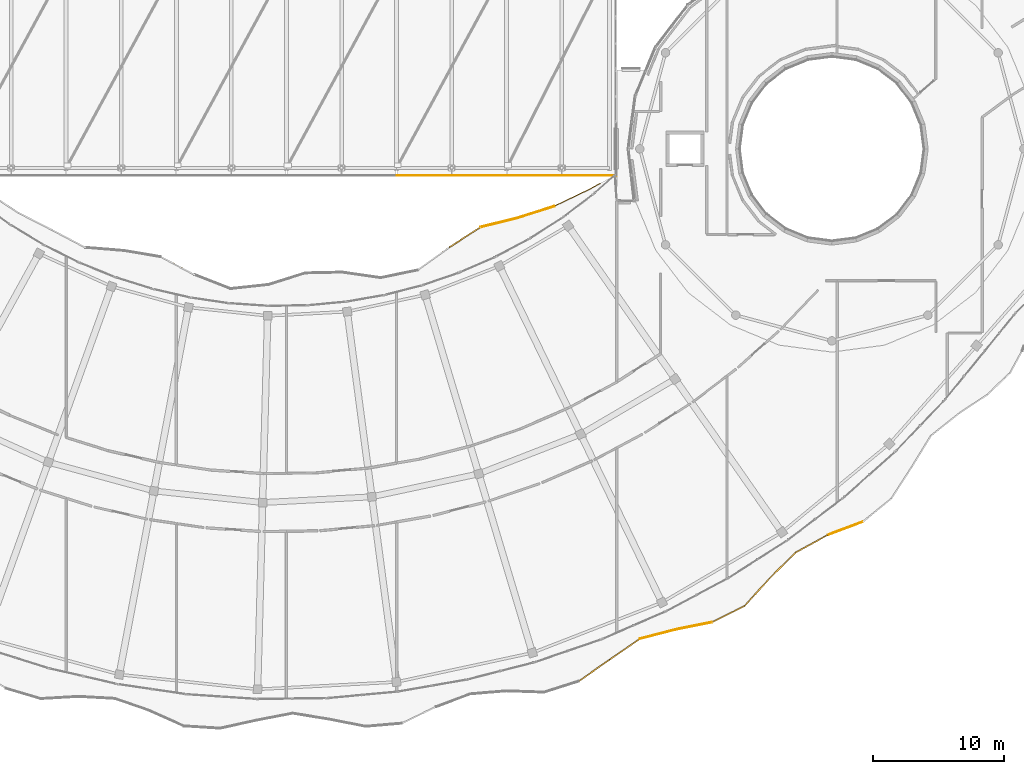
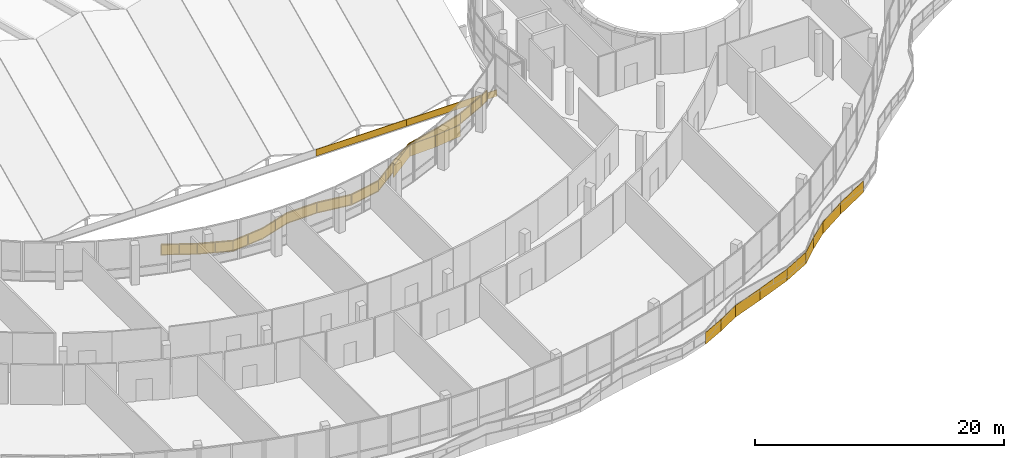
# One storey, part 176 of 184: 14 coverings, 1 railing.
"""IFC4 building model written with IfcOpenShell, lengths in metres."""

import ifcopenshell
import ifcopenshell.guid

model = None  # the IFC model being written
_history = None  # IfcOwnerHistory: only IFC2X3 demands one
_inside = {}  # id of a spatial element -> (the spatial element, [elements in it])
_under = {}  # id of a project, library or spatial element -> (it, [spatial elements below it])
_declared = {}  # id of a project -> (the project, [libraries it declares])
_typed = {}  # id of a type object -> (the type object, [elements of that type])
_made_of = {}  # id of a material, layer set ... -> (it, [elements and type objects made of it])


def new_model(schema):
    """Start an empty IFC model of exactly this schema.

    Asked for "IFC4X3", IfcOpenShell would pick the latest addendum, in which some entities
    have other attributes; the version numbers below select the first issue.
    IFC2X3 requires an IfcOwnerHistory on every rooted entity: one is made here for all.
    """
    global model, _history
    if schema == "IFC4X3":
        model = ifcopenshell.file(schema_version=(4, 3, 0, 0))
    else:
        model = ifcopenshell.file(schema=schema)
    _inside.clear()
    _under.clear()
    _declared.clear()
    _typed.clear()
    _made_of.clear()
    _history = None
    if model.schema == "IFC2X3":
        org = make("IfcOrganization", Name="unknown")
        user = make(
            "IfcPersonAndOrganization",
            ThePerson=make("IfcPerson", FamilyName="unknown"),
            TheOrganization=org,
        )
        app = make(
            "IfcApplication",
            ApplicationDeveloper=org,
            Version="unknown",
            ApplicationFullName="unknown",
            ApplicationIdentifier="unknown",
        )
        _history = make(
            "IfcOwnerHistory",
            OwningUser=user,
            OwningApplication=app,
            ChangeAction="ADDED",
            CreationDate=0,
        )
    return model


def make(cls, **values):
    """One entity of the class cls with the attributes given. An attribute that is None is left unset."""
    return model.create_entity(
        cls, **{name: value for name, value in values.items() if value is not None}
    )


def rooted(cls, **values):
    """An entity with a GlobalId (a new one), such as an element, a storey or a relation."""
    return make(cls, GlobalId=ifcopenshell.guid.new(), OwnerHistory=_history, **values)


def si_unit(unit_type, name, prefix=None):
    """IfcSIUnit, for example si_unit("LENGTHUNIT", "METRE", prefix="MILLI")."""
    return make("IfcSIUnit", UnitType=unit_type, Prefix=prefix, Name=name)


def assignment(units):
    """IfcUnitAssignment: the units of a project."""
    return None if units is None else make("IfcUnitAssignment", Units=units)


def point(xyz):
    """IfcCartesianPoint."""
    return None if xyz is None else make("IfcCartesianPoint", Coordinates=xyz)


def direction(xyz):
    """IfcDirection."""
    return None if xyz is None else make("IfcDirection", DirectionRatios=xyz)


def frame(location, z_axis=None, x_axis=None):
    """IfcAxis2Placement3D, a coordinate frame: its origin and axes. An axis left out is left unset."""
    return make(
        "IfcAxis2Placement3D",
        Location=point(location),
        Axis=direction(z_axis),
        RefDirection=direction(x_axis),
    )


def frame_2d(location, x_axis=None):
    """IfcAxis2Placement2D, a coordinate frame in the plane: its origin and x axis."""
    return make(
        "IfcAxis2Placement2D", Location=point(location), RefDirection=direction(x_axis)
    )


def origin():
    """The frame at (0, 0, 0) with its axes left unset."""
    return frame((0.0, 0.0, 0.0))


def origin_2d():
    """The frame at (0, 0) in the plane with its x axis left unset."""
    return frame_2d((0.0, 0.0))


def place(relative_to, where):
    """IfcLocalPlacement: puts the frame where relative to a parent placement (None: the world)."""
    return make(
        "IfcLocalPlacement", PlacementRelTo=relative_to, RelativePlacement=where
    )


def context(
    kind, dimensions, precision=None, world=None, true_north=None, identifier=None
):
    """IfcGeometricRepresentationContext, for example the 3D "Model" context."""
    return make(
        "IfcGeometricRepresentationContext",
        ContextIdentifier=identifier,
        ContextType=kind,
        CoordinateSpaceDimension=dimensions,
        Precision=precision,
        WorldCoordinateSystem=world,
        TrueNorth=true_north,
    )


def subcontext(parent, identifier, kind, view, scale=None):
    """IfcGeometricRepresentationSubContext, for example "Body" below "Model"."""
    return make(
        "IfcGeometricRepresentationSubContext",
        ContextIdentifier=identifier,
        ContextType=kind,
        ParentContext=parent,
        TargetScale=scale,
        TargetView=view,
    )


def project(units=None, contexts=None):
    """IfcProject with its units and contexts."""
    return rooted(
        "IfcProject",
        Name="project",
        RepresentationContexts=contexts,
        UnitsInContext=assignment(units),
    )


def spatial(cls, under=None, at=None, **own):
    """A site, building, storey or space (cls), placed at a placement, below another one or the project."""
    s = rooted(cls, ObjectPlacement=at, **own)
    if under is not None:
        _under.setdefault(under.id(), (under, []))[1].append(s)
    return s


def polyline(points):
    """IfcPolyline through the points."""
    return make("IfcPolyline", Points=[point(p) for p in points])


def profile(cls, at=None, kind="AREA", **sizes):
    """A parametric profile (cls). Its sizes go by their IFC names, for example OverallWidth=200.0."""
    return make(cls, ProfileType=kind, Position=at, **sizes)


def rectangle(**sizes):
    """IfcRectangleProfileDef."""
    return profile("IfcRectangleProfileDef", **sizes)


def outline(outer, holes=None, kind="AREA"):
    """IfcArbitraryClosedProfileDef: a profile drawn as a closed curve; with holes, ...WithVoids."""
    if holes is None:
        return make("IfcArbitraryClosedProfileDef", ProfileType=kind, OuterCurve=outer)
    return make(
        "IfcArbitraryProfileDefWithVoids",
        ProfileType=kind,
        OuterCurve=outer,
        InnerCurves=holes,
    )


def extrude(swept, where, along, depth):
    """IfcExtrudedAreaSolid: the profile swept, set in the frame where, extruded along a direction by depth."""
    return make(
        "IfcExtrudedAreaSolid",
        SweptArea=swept,
        Position=where,
        ExtrudedDirection=direction(along),
        Depth=depth,
    )


def shape(context_of_items, identifier, shape_type, items):
    """IfcShapeRepresentation: the items that make up one representation, for example the "Body"."""
    return make(
        "IfcShapeRepresentation",
        ContextOfItems=context_of_items,
        RepresentationIdentifier=identifier,
        RepresentationType=shape_type,
        Items=items,
    )


def material(Name=None, Category=None):
    """IfcMaterial."""
    return make("IfcMaterial", Name=Name, Category=Category)


def layer(
    of_material, thickness, ventilated=None, Name=None, Category=None, Priority=None
):
    """IfcMaterialLayer: one layer of a wall or slab, of a material (None: an air gap)."""
    return make(
        "IfcMaterialLayer",
        Material=of_material,
        LayerThickness=thickness,
        IsVentilated=ventilated,
        Name=Name,
        Category=Category,
        Priority=Priority,
    )


def layer_set(layers, Name=None):
    """IfcMaterialLayerSet."""
    return make("IfcMaterialLayerSet", MaterialLayers=layers, LayerSetName=Name)


def made_of(thing, what):
    """Note that an element or type object is made of a material, layer set ...; save() writes the relation."""
    if what is not None:
        _made_of.setdefault(what.id(), (what, []))[1].append(thing)
    return thing


def type_object(cls, material=None, **own):
    """A type object (cls), such as IfcWallType, which elements share."""
    return made_of(rooted(cls, **own), material)


def element(
    cls,
    number,
    at=None,
    inside=None,
    cuts=None,
    type_object=None,
    material=None,
    context=None,
    identifier="Body",
    shape_type=None,
    held_by="IfcProductDefinitionShape",
    body=None,
    shapes=None,
    **own,
):
    """One element of the class cls, such as IfcWall. Its Tag is "e" and its number.

    at: its placement. inside: the storey or other place that contains it. cuts: it is an
    opening in that element (IfcRelVoidsElement). A single representation is given by context,
    identifier, shape_type and body (its items); several are given by shapes. held_by: the class
    of the entity that holds the representations. save() writes the other relations.
    """
    e = rooted(cls, Tag="e%d" % number, ObjectPlacement=at, **own)
    if body is not None:
        shapes = [shape(context, identifier, shape_type, body)]
    if shapes is not None:
        e.Representation = make(held_by, Representations=shapes)
    if inside is not None:
        _inside.setdefault(inside.id(), (inside, []))[1].append(e)
    if cuts is not None:
        rooted(
            "IfcRelVoidsElement", RelatingBuildingElement=cuts, RelatedOpeningElement=e
        )
    if type_object is not None:
        _typed.setdefault(type_object.id(), (type_object, []))[1].append(e)
    return made_of(e, material)


def aggregate(whole, parts):
    """IfcRelAggregates: a whole, such as a stair, and the parts it consists of."""
    return rooted("IfcRelAggregates", RelatingObject=whole, RelatedObjects=parts)


def save(model, path):
    """Write the relations noted so far, then the file.

    IfcRelAggregates (storeys below a building ...), IfcRelContainedInSpatialStructure (elements
    in a storey), IfcRelDefinesByType, IfcRelAssociatesMaterial and IfcRelDeclares: one each for
    every whole, place, type object, material and project.
    """
    for whole, parts in _under.values():
        aggregate(whole, parts)
    for where, things in _inside.values():
        rooted(
            "IfcRelContainedInSpatialStructure",
            RelatedElements=things,
            RelatingStructure=where,
        )
    for kind, things in _typed.values():
        rooted("IfcRelDefinesByType", RelatedObjects=things, RelatingType=kind)
    for what, things in _made_of.values():
        rooted("IfcRelAssociatesMaterial", RelatedObjects=things, RelatingMaterial=what)
    for by, libraries in _declared.values():
        rooted("IfcRelDeclares", RelatingContext=by, RelatedDefinitions=libraries)
    model.write(path)


model = new_model("IFC4")

# Units and contexts
model_context = context("Model", 3, precision=1e-05, world=origin(), true_north=direction((0.0, 1.0)))
body_context = subcontext(model_context, "Body", "Model", "MODEL_VIEW")
ifc_project = project(units=[si_unit("LENGTHUNIT", "METRE"), si_unit("AREAUNIT", "SQUARE_METRE"), si_unit("VOLUMEUNIT", "CUBIC_METRE"), si_unit("PLANEANGLEUNIT", "RADIAN"), si_unit("MASSUNIT", "GRAM", prefix="KILO")], contexts=[model_context])

# Site, building, storey
site_placement = place(None, origin())
site = spatial("IfcSite", under=ifc_project, at=site_placement, CompositionType="ELEMENT")
building_placement = place(site_placement, origin())
building = spatial("IfcBuilding", under=site, at=building_placement, Name="Selatvlak General Hospital", CompositionType="ELEMENT")
storey_placement = place(building_placement, frame((0.0, 0.0, 15.0)))
storey = spatial("IfcBuildingStorey", under=building, at=storey_placement, Name="L03", CompositionType="ELEMENT", Elevation=15.0)

# Coverings
ifc_material_1 = material(Name="PVDF aluminium fascia - cobalt blue", Category="aluminium")
ifc_layer_1 = layer(ifc_material_1, 0.070068359375, Name="PVDF aluminium fascia - cobalt blue", Category="aluminium")
ifc_layer_set_1 = layer_set([ifc_layer_1], Name="PVDF aluminium fascia - cobalt blue")
covering_type_1 = type_object("IfcCoveringType", Name="COV-RB-BLU", PredefinedType="CLADDING", material=ifc_layer_set_1)
covering_1_placement = place(storey_placement, frame((78.702880859375, 13.39794921875, -0.257080078125), z_axis=(0.0, 0.0, 1.0), x_axis=(0.820976526683, 0.570961944997, 0.0)))
element("IfcCovering", 1, at=covering_1_placement, inside=storey, type_object=covering_type_1, Name="L03 De Stijl waving fascia streamer 335", PredefinedType="CLADDING", context=body_context, shape_type="SweptSolid", body=[
    extrude(outline(polyline([(0.0, 0.0), (2.860107421875, -0.5419921875), (2.860107421875, 0.597900390625), (0.0, 1.139892578125), (0.0, 0.0)])), frame((0.0, 0.03515625, 0.0), z_axis=(0.0, -1.0, 0.0), x_axis=(1.0, 0.0, 0.0)), (0.0, 0.0, 1.0), 0.070068359375),
])
covering_2_placement = place(storey_placement, frame((81.050048828125, 15.031005859375, -0.799072265625), z_axis=(0.0, 0.0, 1.0), x_axis=(0.821828507841, 0.569734941618, 0.0)))
element("IfcCovering", 2, at=covering_2_placement, inside=storey, type_object=covering_type_1, Name="L03 De Stijl waving fascia streamer 336", PredefinedType="CLADDING", context=body_context, shape_type="SweptSolid", body=[
    extrude(outline(polyline([(0.0, 0.0), (2.8046875, -0.37890625), (2.8046875, 0.760986328125), (0.0, 1.139892578125), (0.0, 0.0)])), frame((0.0, 0.03515625, 0.0), z_axis=(0.0, -1.0, 0.0), x_axis=(1.0, 0.0, 0.0)), (0.0, 0.0, 1.0), 0.070068359375),
])
covering_3_placement = place(storey_placement, frame((83.35498046875, 16.62890625, -1.177978515625), z_axis=(0.0, 0.0, 1.0), x_axis=(0.967880650396, 0.251410116321, 0.0)))
element("IfcCovering", 3, at=covering_3_placement, inside=storey, type_object=covering_type_1, Name="L03 De Stijl waving fascia streamer 337", PredefinedType="CLADDING", context=body_context, shape_type="SweptSolid", body=[
    extrude(outline(polyline([(0.0, 0.0), (2.7802734375, 0.302001953125), (2.7802734375, 1.44189453125), (0.0, 1.139892578125), (0.0, 0.0)])), frame((0.0, 0.03515625, 0.0), z_axis=(0.0, -1.0, 0.0), x_axis=(1.0, 0.0, 0.0)), (0.0, 0.0, 1.0), 0.070068359375),
])
covering_4_placement = place(storey_placement, frame((86.044921875, 17.326904296875, -0.8759765625), z_axis=(0.0, 0.0, 1.0), x_axis=(0.980274642567, 0.197640140507, 0.0)))
element("IfcCovering", 4, at=covering_4_placement, inside=storey, type_object=covering_type_1, Name="L03 De Stijl waving fascia streamer 338", PredefinedType="CLADDING", context=body_context, shape_type="SweptSolid", body=[
    extrude(outline(polyline([(0.0, 0.0), (2.864501953125, 0.570068359375), (2.864501953125, 1.7099609375), (0.0, 1.139892578125), (0.0, 0.0)])), frame((0.0, 0.03515625, 0.0), z_axis=(0.0, -1.0, 0.0), x_axis=(1.0, 0.0, 0.0)), (0.0, 0.0, 1.0), 0.070068359375),
])
covering_5_placement = place(storey_placement, frame((88.85302734375, 17.89306640625, -0.305908203125), z_axis=(0.0, 0.0, 1.0), x_axis=(0.896227960056, 0.443593782208, 0.0)))
element("IfcCovering", 5, at=covering_5_placement, inside=storey, type_object=covering_type_1, Name="L03 De Stijl waving fascia streamer 339", PredefinedType="CLADDING", context=body_context, shape_type="SweptSolid", body=[
    extrude(outline(polyline([(0.0, 0.0), (2.781494140625, 0.058837890625), (2.781494140625, 1.19873046875), (0.0, 1.139892578125), (0.0, 0.0)])), frame((0.0, 0.03515625, 0.0), z_axis=(0.0, -1.0, 0.0), x_axis=(1.0, 0.0, 0.0)), (0.0, 0.0, 1.0), 0.070068359375),
])
covering_6_placement = place(storey_placement, frame((91.344970703125, 19.126953125, -0.2470703125), z_axis=(0.0, 0.0, 1.0), x_axis=(0.669020839739, 0.743243645109, 0.0)))
element("IfcCovering", 6, at=covering_6_placement, inside=storey, type_object=covering_type_1, Name="L03 De Stijl waving fascia streamer 340", PredefinedType="CLADDING", context=body_context, shape_type="SweptSolid", body=[
    extrude(outline(polyline([(0.0, 0.0), (2.884765625, -0.531982421875), (2.884765625, 0.60791015625), (0.0, 1.139892578125), (0.0, 0.0)])), frame((0.0, 0.03515625, 0.0), z_axis=(0.0, -1.0, 0.0), x_axis=(1.0, 0.0, 0.0)), (0.0, 0.0, 1.0), 0.070068359375),
])
covering_7_placement = place(storey_placement, frame((93.27490234375, 21.27001953125, -0.779052734375), z_axis=(0.0, 0.0, 1.0), x_axis=(0.713944980845, 0.700201802573, 0.0)))
element("IfcCovering", 7, at=covering_7_placement, inside=storey, type_object=covering_type_1, Name="L03 De Stijl waving fascia streamer 341", PredefinedType="CLADDING", context=body_context, shape_type="SweptSolid", body=[
    extrude(outline(polyline([(0.0, 0.0), (2.7890625, -0.39697265625), (2.7890625, 0.742919921875), (0.0, 1.139892578125), (0.0, 0.0)])), frame((0.0, 0.03515625, 0.0), z_axis=(0.0, -1.0, 0.0), x_axis=(1.0, 0.0, 0.0)), (0.0, 0.0, 1.0), 0.070068359375),
])
covering_8_placement = place(storey_placement, frame((95.264892578125, 23.222900390625, -1.176025390625), z_axis=(0.0, 0.0, 1.0), x_axis=(0.876967568472, 0.480549564404, 0.0)))
element("IfcCovering", 8, at=covering_8_placement, inside=storey, type_object=covering_type_1, Name="L03 De Stijl waving fascia streamer 342", PredefinedType="CLADDING", context=body_context, shape_type="SweptSolid", body=[
    extrude(outline(polyline([(0.0, 0.0), (2.759765625, 0.281982421875), (2.759765625, 1.421875), (0.0, 1.139892578125), (0.0, 0.0)])), frame((0.0, 0.03515625, 0.0), z_axis=(0.0, -1.0, 0.0), x_axis=(1.0, 0.0, 0.0)), (0.0, 0.0, 1.0), 0.070068359375),
])
covering_9_placement = place(storey_placement, frame((97.68505859375, 24.549072265625, -0.89404296875), z_axis=(0.0, 0.0, 1.0), x_axis=(0.935871346056, 0.352341912964, 0.0)))
element("IfcCovering", 9, at=covering_9_placement, inside=storey, type_object=covering_type_1, Name="L03 De Stijl waving fascia streamer 343", PredefinedType="CLADDING", context=body_context, shape_type="SweptSolid", body=[
    extrude(outline(polyline([(0.0, 0.0), (2.897705078125, 0.574951171875), (2.897705078125, 1.71484375), (0.0, 1.139892578125), (0.0, 0.0)])), frame((0.0, 0.03515625, 0.0), z_axis=(0.0, -1.0, 0.0), x_axis=(1.0, 0.0, 0.0)), (0.0, 0.0, 1.0), 0.070068359375),
])
covering_10_placement = place(storey_placement, frame((76.845947265625, 49.62109375, -1.14599609375), z_axis=(0.0, 0.0, 1.0), x_axis=(-0.953263607302, -0.302139859988, 0.0)))
element("IfcCovering", 10, at=covering_10_placement, inside=storey, type_object=covering_type_1, Name="L03 De Stijl waving fascia streamer 384", PredefinedType="CLADDING", context=body_context, shape_type="SweptSolid", body=[
    extrude(outline(polyline([(0.0, 0.0), (2.965576171875, 0.468017578125), (2.965576171875, 1.60791015625), (0.0, 1.139892578125), (0.0, 0.0)])), frame((0.0, 0.03515625, 0.0), z_axis=(0.0, -1.0, 0.0), x_axis=(1.0, 0.0, 0.0)), (0.0, 0.0, 1.0), 0.070068359375),
])
covering_11_placement = place(storey_placement, frame((74.01806640625, 48.72509765625, -0.677978515625), z_axis=(0.0, 0.0, 1.0), x_axis=(-0.970409717396, -0.241464242452, 0.0)))
element("IfcCovering", 11, at=covering_11_placement, inside=storey, type_object=covering_type_1, Name="L03 De Stijl waving fascia streamer 385", PredefinedType="CLADDING", context=body_context, shape_type="SweptSolid", body=[
    extrude(outline(polyline([(0.0, 0.0), (2.895751953125, 0.489990234375), (2.895751953125, 1.6298828125), (0.0, 1.139892578125), (0.0, 0.0)])), frame((0.0, 0.03515625, 0.0), z_axis=(0.0, -1.0, 0.0), x_axis=(1.0, 0.0, 0.0)), (0.0, 0.0, 1.0), 0.070068359375),
])
covering_12_placement = place(storey_placement, frame((71.20703125, 48.02490234375, -0.18798828125), z_axis=(0.0, 0.0, 1.0), x_axis=(-0.841130835926, -0.540831689951, 0.0)))
element("IfcCovering", 12, at=covering_12_placement, inside=storey, type_object=covering_type_1, Name="L03 De Stijl waving fascia streamer 386", PredefinedType="CLADDING", context=body_context, shape_type="SweptSolid", body=[
    extrude(outline(polyline([(0.0, 0.0), (2.830810546875, -0.31494140625), (2.830810546875, 0.824951171875), (0.0, 1.139892578125), (0.0, 0.0)])), frame((0.0, 0.03515625, 0.0), z_axis=(0.0, -1.0, 0.0), x_axis=(1.0, 0.0, 0.0)), (0.0, 0.0, 1.0), 0.070068359375),
])
ifc_material_2 = material(Name="White Bauhaus fair-faced cladding panel")
ifc_layer_2 = layer(ifc_material_2, 0.054931640625, Name="White Bauhaus fair-faced cladding panel")
ifc_layer_set_2 = layer_set([ifc_layer_2], Name="White Bauhaus fair-faced cladding panel")
covering_type_2 = type_object("IfcCoveringType", Name="COV-WHT1", PredefinedType="CLADDING", material=ifc_layer_set_2)
for number, where, z_axis, x_axis, name in (
    (13, (69.0, 51.969970703125, -0.300048828125), (0.0, 0.0, 1.0), (1.0, 0.0, 0.0), "L03 Concourse hall south eaves white fascia 0575"),
    (14, (77.39990234375, 51.969970703125, -0.300048828125), (0.0, 0.0, 1.0), (1.0, 0.0, 0.0), "L03 Concourse hall south eaves white fascia 0576"),
):
    element("IfcCovering", number, at=place(storey_placement, frame(where, z_axis=z_axis, x_axis=x_axis)), inside=storey, type_object=covering_type_2, Name=name, PredefinedType="CLADDING", context=body_context, shape_type="SweptSolid", body=[
        extrude(rectangle(XDim=8.39990234375, YDim=0.054931640625, at=origin_2d()), origin(), (0.0, 0.0, 1.0), 0.64990234375),
    ])

# Railing
ifc_material_3 = material(Name="Stainless steel 316 safety balustrade", Category="steel")
railing_type = type_object("IfcRailingType", Name="RAIL-BAL1", PredefinedType="BALUSTRADE", material=ifc_material_3)
railing_placement = place(storey_placement, frame((46.826904296875, 45.77197265625, 0.0)))
element("IfcRailing", 15, at=railing_placement, inside=storey, type_object=railing_type, Name="L03 continuous curved balcony balustrade 0023", PredefinedType="BALUSTRADE", context=body_context, shape_type="SweptSolid", body=[
    extrude(rectangle(XDim=0.068115234375, YDim=0.068115234375, at=origin_2d()), frame((0.002685546875, -0.00146484375, 1.0859375), z_axis=(0.883888048111, -0.46769853368, 0.0), x_axis=(0.46769853368, 0.883888048111, 0.0)), (0.0, 0.0, 1.0), 2.899658203125),
    extrude(rectangle(XDim=0.068115234375, YDim=0.068115234375, at=origin_2d()), frame((0.002685546875, -0.00146484375, 0.049072265625), z_axis=(0.883888048111, -0.46769853368, 0.0), x_axis=(0.46769853368, 0.883888048111, 0.0)), (0.0, 0.0, 1.0), 2.899658203125),
    extrude(outline(polyline([(0.0, 0.0), (2.8935546875, 0.0), (2.8935546875, 0.94189453125), (0.0, 0.94189453125), (0.0, 0.0)])), frame((0.013671875, 0.01318359375, 0.0849609375), z_axis=(-0.46769853368, -0.883888048111, 0.0), x_axis=(0.883888048111, -0.46769853368, 0.0)), (0.0, 0.0, 1.0), 0.031982421875),
    extrude(rectangle(XDim=0.068115234375, YDim=0.068115234375, at=origin_2d()), frame((2.57080078125, -1.35986328125, 1.0859375), z_axis=(0.931171710845, -0.364580916837, 0.0), x_axis=(0.364580916837, 0.931171710845, 0.0)), (0.0, 0.0, 1.0), 2.9345703125),
    extrude(rectangle(XDim=0.068115234375, YDim=0.068115234375, at=origin_2d()), frame((2.57080078125, -1.35986328125, 0.049072265625), z_axis=(0.931171710845, -0.364580916837, 0.0), x_axis=(0.364580916837, 0.931171710845, 0.0)), (0.0, 0.0, 1.0), 2.9345703125),
    extrude(outline(polyline([(0.0, 0.0), (2.928466796875, 0.0), (2.928466796875, 0.94189453125), (0.0, 0.94189453125), (0.0, 0.0)])), frame((2.580322265625, -1.34423828125, 0.0849609375), z_axis=(-0.364580916837, -0.931171710845, 0.0), x_axis=(0.931171710845, -0.364580916837, 0.0)), (0.0, 0.0, 1.0), 0.031982421875),
    extrude(rectangle(XDim=0.068115234375, YDim=0.068115234375, at=origin_2d()), frame((5.30908203125, -2.4306640625, 1.0859375), z_axis=(0.994190113919, 0.107638363908, 0.0), x_axis=(-0.107638363908, 0.994190113919, 0.0)), (0.0, 0.0, 1.0), 2.910888671875),
    extrude(rectangle(XDim=0.068115234375, YDim=0.068115234375, at=origin_2d()), frame((5.30908203125, -2.4306640625, 0.049072265625), z_axis=(0.994190113919, 0.107638363908, 0.0), x_axis=(-0.107638363908, 0.994190113919, 0.0)), (0.0, 0.0, 1.0), 2.910888671875),
    extrude(outline(polyline([(0.0, 0.0), (2.90478515625, 0.0), (2.90478515625, 0.94189453125), (0.0, 0.94189453125), (0.0, 0.0)])), frame((5.31005859375, -2.412353515625, 0.0849609375), z_axis=(0.107638363908, -0.994190113919, 0.0), x_axis=(0.994190113919, 0.107638363908, 0.0)), (0.0, 0.0, 1.0), 0.031982421875),
    extrude(rectangle(XDim=0.068115234375, YDim=0.068115234375, at=origin_2d()), frame((8.208740234375, -2.115966796875, 1.0859375), z_axis=(0.953882296922, 0.300180884834, 0.0), x_axis=(-0.300180884834, 0.953882296922, 0.0)), (0.0, 0.0, 1.0), 2.9326171875),
    extrude(rectangle(XDim=0.068115234375, YDim=0.068115234375, at=origin_2d()), frame((8.208740234375, -2.115966796875, 0.049072265625), z_axis=(0.953882296922, 0.300180884834, 0.0), x_axis=(-0.300180884834, 0.953882296922, 0.0)), (0.0, 0.0, 1.0), 2.9326171875),
    extrude(outline(polyline([(0.0, 0.0), (2.926513671875, 0.0), (2.926513671875, 0.94189453125), (0.0, 0.94189453125), (0.0, 0.0)])), frame((8.206298828125, -2.097900390625, 0.0849609375), z_axis=(0.300180884834, -0.953882296922, 0.0), x_axis=(0.953882296922, 0.300180884834, 0.0)), (0.0, 0.0, 1.0), 0.031982421875),
    extrude(rectangle(XDim=0.068115234375, YDim=0.068115234375, at=origin_2d()), frame((11.011962890625, -1.23486328125, 1.0859375), z_axis=(0.999771593565, 0.021371960599, 0.0), x_axis=(-0.021371960599, 0.999771593565, 0.0)), (0.0, 0.0, 1.0), 2.79296875),
    extrude(rectangle(XDim=0.068115234375, YDim=0.068115234375, at=origin_2d()), frame((11.011962890625, -1.23486328125, 0.049072265625), z_axis=(0.999771593565, 0.021371960599, 0.0), x_axis=(-0.021371960599, 0.999771593565, 0.0)), (0.0, 0.0, 1.0), 2.79296875),
    extrude(outline(polyline([(0.0, 0.0), (2.78662109375, 0.0), (2.78662109375, 0.94189453125), (0.0, 0.94189453125), (0.0, 0.0)])), frame((11.0146484375, -1.216796875, 0.0849609375), z_axis=(0.021371960599, -0.999771593565, 0.0), x_axis=(0.999771593565, 0.021371960599, 0.0)), (0.0, 0.0, 1.0), 0.031982421875),
    extrude(rectangle(XDim=0.068115234375, YDim=0.068115234375, at=origin_2d()), frame((13.81005859375, -1.175537109375, 1.0859375), z_axis=(0.989980593426, -0.141203486644, 0.0), x_axis=(0.141203486644, 0.989980593426, 0.0)), (0.0, 0.0, 1.0), 2.974853515625),
    extrude(rectangle(XDim=0.068115234375, YDim=0.068115234375, at=origin_2d()), frame((13.81005859375, -1.175537109375, 0.049072265625), z_axis=(0.989980593426, -0.141203486644, 0.0), x_axis=(0.141203486644, 0.989980593426, 0.0)), (0.0, 0.0, 1.0), 2.974853515625),
    extrude(outline(polyline([(0.0, 0.0), (2.96875, 0.0), (2.96875, 0.94189453125), (0.0, 0.94189453125), (0.0, 0.0)])), frame((13.815673828125, -1.157958984375, 0.0849609375), z_axis=(-0.141203486644, -0.989980593426, 0.0), x_axis=(0.989980593426, -0.141203486644, 0.0)), (0.0, 0.0, 1.0), 0.031982421875),
    extrude(rectangle(XDim=0.068115234375, YDim=0.068115234375, at=origin_2d()), frame((16.760986328125, -1.595458984375, 1.0859375), z_axis=(0.979159562749, 0.203092468291, 0.0), x_axis=(-0.203092468291, 0.979159562749, 0.0)), (0.0, 0.0, 1.0), 2.879150390625),
    extrude(rectangle(XDim=0.068115234375, YDim=0.068115234375, at=origin_2d()), frame((16.760986328125, -1.595458984375, 0.049072265625), z_axis=(0.979159562749, 0.203092468291, 0.0), x_axis=(-0.203092468291, 0.979159562749, 0.0)), (0.0, 0.0, 1.0), 2.879150390625),
    extrude(outline(polyline([(0.0, 0.0), (2.873046875, 0.0), (2.873046875, 0.94189453125), (0.0, 0.94189453125), (0.0, 0.0)])), frame((16.76025390625, -1.5771484375, 0.0849609375), z_axis=(0.203092468291, -0.979159562749, 0.0), x_axis=(0.979159562749, 0.203092468291, 0.0)), (0.0, 0.0, 1.0), 0.031982421875),
    extrude(rectangle(XDim=0.068115234375, YDim=0.068115234375, at=origin_2d()), frame((19.58544921875, -1.00830078125, 1.0859375), z_axis=(0.809813104197, 0.586687937724, 0.0), x_axis=(-0.586687937724, 0.809813104197, 0.0)), (0.0, 0.0, 1.0), 2.97021484375),
    extrude(rectangle(XDim=0.068115234375, YDim=0.068115234375, at=origin_2d()), frame((19.58544921875, -1.00830078125, 0.049072265625), z_axis=(0.809813104197, 0.586687937724, 0.0), x_axis=(-0.586687937724, 0.809813104197, 0.0)), (0.0, 0.0, 1.0), 2.97021484375),
    extrude(outline(polyline([(0.0, 0.0), (2.964111328125, 0.0), (2.964111328125, 0.94189453125), (0.0, 0.94189453125), (0.0, 0.0)])), frame((19.577392578125, -0.991943359375, 0.0849609375), z_axis=(0.586687937724, -0.809813104197, 0.0), x_axis=(0.809813104197, 0.586687937724, 0.0)), (0.0, 0.0, 1.0), 0.031982421875),
    extrude(rectangle(XDim=0.068115234375, YDim=0.068115234375, at=origin_2d()), frame((21.99560546875, 0.737548828125, 1.0859375), z_axis=(0.841105607111, 0.540870925163, 0.0), x_axis=(-0.540870925163, 0.841105607111, 0.0)), (0.0, 0.0, 1.0), 2.82470703125),
    extrude(rectangle(XDim=0.068115234375, YDim=0.068115234375, at=origin_2d()), frame((21.99560546875, 0.737548828125, 0.049072265625), z_axis=(0.841105607111, 0.540870925163, 0.0), x_axis=(-0.540870925163, 0.841105607111, 0.0)), (0.0, 0.0, 1.0), 2.82470703125),
    extrude(outline(polyline([(0.0, 0.0), (2.818603515625, 0.0), (2.818603515625, 0.94189453125), (0.0, 0.94189453125), (0.0, 0.0)])), frame((21.988525390625, 0.75439453125, 0.0849609375), z_axis=(0.540870925163, -0.841105607111, 0.0), x_axis=(0.841105607111, 0.540870925163, 0.0)), (0.0, 0.0, 1.0), 0.031982421875),
    extrude(rectangle(XDim=0.068115234375, YDim=0.068115234375, at=origin_2d()), frame((24.376953125, 2.267822265625, 1.0859375), z_axis=(0.970429470039, 0.241384845588, 0.0), x_axis=(-0.241384845588, 0.970429470039, 0.0)), (0.0, 0.0, 1.0), 2.889892578125),
    extrude(rectangle(XDim=0.068115234375, YDim=0.068115234375, at=origin_2d()), frame((24.376953125, 2.267822265625, 0.049072265625), z_axis=(0.970429470039, 0.241384845588, 0.0), x_axis=(-0.241384845588, 0.970429470039, 0.0)), (0.0, 0.0, 1.0), 2.889892578125),
    extrude(outline(polyline([(0.0, 0.0), (2.8837890625, 0.0), (2.8837890625, 0.94189453125), (0.0, 0.94189453125), (0.0, 0.0)])), frame((24.37548828125, 2.285888671875, 0.0849609375), z_axis=(0.241384845588, -0.970429470039, 0.0), x_axis=(0.970429470039, 0.241384845588, 0.0)), (0.0, 0.0, 1.0), 0.031982421875),
    extrude(rectangle(XDim=0.068115234375, YDim=0.068115234375, at=origin_2d()), frame((27.186767578125, 2.967041015625, 1.0859375), z_axis=(0.953263607302, 0.302139859988, 0.0), x_axis=(-0.302139859988, 0.953263607302, 0.0)), (0.0, 0.0, 1.0), 2.959716796875),
    extrude(rectangle(XDim=0.068115234375, YDim=0.068115234375, at=origin_2d()), frame((27.186767578125, 2.967041015625, 0.049072265625), z_axis=(0.953263607302, 0.302139859988, 0.0), x_axis=(-0.302139859988, 0.953263607302, 0.0)), (0.0, 0.0, 1.0), 2.959716796875),
    extrude(outline(polyline([(0.0, 0.0), (2.95361328125, 0.0), (2.95361328125, 0.94189453125), (0.0, 0.94189453125), (0.0, 0.0)])), frame((27.184326171875, 2.985107421875, 0.0849609375), z_axis=(0.302139859988, -0.953263607302, 0.0), x_axis=(0.953263607302, 0.302139859988, 0.0)), (0.0, 0.0, 1.0), 0.031982421875),
    extrude(rectangle(XDim=0.068115234375, YDim=0.068115234375, at=origin_2d()), frame((30.013671875, 3.86328125, 1.0859375), z_axis=(0.901752878614, 0.432251947261, 0.0), x_axis=(-0.432251947261, 0.901752878614, 0.0)), (0.0, 0.0, 1.0), 2.976318359375),
    extrude(rectangle(XDim=0.068115234375, YDim=0.068115234375, at=origin_2d()), frame((30.013671875, 3.86328125, 0.049072265625), z_axis=(0.901752878614, 0.432251947261, 0.0), x_axis=(-0.432251947261, 0.901752878614, 0.0)), (0.0, 0.0, 1.0), 2.976318359375),
    extrude(outline(polyline([(0.0, 0.0), (2.97021484375, 0.0), (2.97021484375, 0.94189453125), (0.0, 0.94189453125), (0.0, 0.0)])), frame((30.008544921875, 3.880859375, 0.0849609375), z_axis=(0.432251947261, -0.901752878614, 0.0), x_axis=(0.901752878614, 0.432251947261, 0.0)), (0.0, 0.0, 1.0), 0.031982421875),
    extrude(rectangle(XDim=0.068115234375, YDim=0.068115234375, at=origin_2d()), frame((32.70263671875, 5.152587890625, 1.0859375), z_axis=(0.873402446335, 0.486999144492, 0.0), x_axis=(-0.486999144492, 0.873402446335, 0.0)), (0.0, 0.0, 1.0), 0.926025390625),
    extrude(rectangle(XDim=0.068115234375, YDim=0.068115234375, at=origin_2d()), frame((32.70263671875, 5.152587890625, 0.049072265625), z_axis=(0.873402446335, 0.486999144492, 0.0), x_axis=(-0.486999144492, 0.873402446335, 0.0)), (0.0, 0.0, 1.0), 0.926025390625),
    extrude(outline(polyline([(0.0, 0.0), (0.919921875, 0.0), (0.919921875, 0.94189453125), (0.0, 0.94189453125), (0.0, 0.0)])), frame((32.69677734375, 5.169677734375, 0.0849609375), z_axis=(0.486999144492, -0.873402446335, 0.0), x_axis=(0.873402446335, 0.486999144492, 0.0)), (0.0, 0.0, 1.0), 0.031982421875),
    extrude(rectangle(XDim=0.055908203125, YDim=0.055908203125, at=origin_2d()), origin(), (0.0, 0.0, 1.0), 1.049072265625),
    extrude(rectangle(XDim=0.055908203125, YDim=0.055908203125, at=origin_2d()), frame((1.2841796875, -0.679443359375, 0.0)), (0.0, 0.0, 1.0), 1.049072265625),
    extrude(rectangle(XDim=0.055908203125, YDim=0.055908203125, at=origin_2d()), frame((2.568115234375, -1.35888671875, 0.0)), (0.0, 0.0, 1.0), 1.049072265625),
    extrude(rectangle(XDim=0.055908203125, YDim=0.055908203125, at=origin_2d()), frame((3.93701171875, -1.89501953125, 0.0)), (0.0, 0.0, 1.0), 1.049072265625),
    extrude(rectangle(XDim=0.055908203125, YDim=0.055908203125, at=origin_2d()), frame((5.30615234375, -2.430908203125, 0.0)), (0.0, 0.0, 1.0), 1.049072265625),
    extrude(rectangle(XDim=0.055908203125, YDim=0.055908203125, at=origin_2d()), frame((6.756103515625, -2.27392578125, 0.0)), (0.0, 0.0, 1.0), 1.049072265625),
    extrude(rectangle(XDim=0.055908203125, YDim=0.055908203125, at=origin_2d()), frame((8.2060546875, -2.116943359375, 0.0)), (0.0, 0.0, 1.0), 1.049072265625),
    extrude(rectangle(XDim=0.055908203125, YDim=0.055908203125, at=origin_2d()), frame((9.607421875, -1.67578125, 0.0)), (0.0, 0.0, 1.0), 1.049072265625),
    extrude(rectangle(XDim=0.055908203125, YDim=0.055908203125, at=origin_2d()), frame((11.009033203125, -1.23486328125, 0.0)), (0.0, 0.0, 1.0), 1.049072265625),
    extrude(rectangle(XDim=0.055908203125, YDim=0.055908203125, at=origin_2d()), frame((12.408203125, -1.205078125, 0.0)), (0.0, 0.0, 1.0), 1.049072265625),
    extrude(rectangle(XDim=0.055908203125, YDim=0.055908203125, at=origin_2d()), frame((13.80712890625, -1.175048828125, 0.0)), (0.0, 0.0, 1.0), 1.049072265625),
    extrude(rectangle(XDim=0.055908203125, YDim=0.055908203125, at=origin_2d()), frame((15.28271484375, -1.385498046875, 0.0)), (0.0, 0.0, 1.0), 1.049072265625),
    extrude(rectangle(XDim=0.055908203125, YDim=0.055908203125, at=origin_2d()), frame((16.758056640625, -1.595947265625, 0.0)), (0.0, 0.0, 1.0), 1.049072265625),
    extrude(rectangle(XDim=0.055908203125, YDim=0.055908203125, at=origin_2d()), frame((18.17041015625, -1.302978515625, 0.0)), (0.0, 0.0, 1.0), 1.049072265625),
    extrude(rectangle(XDim=0.055908203125, YDim=0.055908203125, at=origin_2d()), frame((19.5830078125, -1.010009765625, 0.0)), (0.0, 0.0, 1.0), 1.049072265625),
    extrude(rectangle(XDim=0.055908203125, YDim=0.055908203125, at=origin_2d()), frame((20.7880859375, -0.136962890625, 0.0)), (0.0, 0.0, 1.0), 1.049072265625),
    extrude(rectangle(XDim=0.055908203125, YDim=0.055908203125, at=origin_2d()), frame((21.9931640625, 0.736083984375, 0.0)), (0.0, 0.0, 1.0), 1.049072265625),
    extrude(rectangle(XDim=0.055908203125, YDim=0.055908203125, at=origin_2d()), frame((23.18359375, 1.50146484375, 0.0)), (0.0, 0.0, 1.0), 1.049072265625),
    extrude(rectangle(XDim=0.055908203125, YDim=0.055908203125, at=origin_2d()), frame((24.3740234375, 2.26708984375, 0.0)), (0.0, 0.0, 1.0), 1.049072265625),
    extrude(rectangle(XDim=0.055908203125, YDim=0.055908203125, at=origin_2d()), frame((25.779052734375, 2.61669921875, 0.0)), (0.0, 0.0, 1.0), 1.049072265625),
    extrude(rectangle(XDim=0.055908203125, YDim=0.055908203125, at=origin_2d()), frame((27.18408203125, 2.966064453125, 0.0)), (0.0, 0.0, 1.0), 1.049072265625),
    extrude(rectangle(XDim=0.055908203125, YDim=0.055908203125, at=origin_2d()), frame((28.59765625, 3.4140625, 0.0)), (0.0, 0.0, 1.0), 1.049072265625),
    extrude(rectangle(XDim=0.055908203125, YDim=0.055908203125, at=origin_2d()), frame((30.010986328125, 3.862060546875, 0.0)), (0.0, 0.0, 1.0), 1.049072265625),
    extrude(rectangle(XDim=0.055908203125, YDim=0.055908203125, at=origin_2d()), frame((31.35546875, 4.506591796875, 0.0)), (0.0, 0.0, 1.0), 1.049072265625),
    extrude(rectangle(XDim=0.055908203125, YDim=0.055908203125, at=origin_2d()), frame((32.7001953125, 5.151123046875, 0.0)), (0.0, 0.0, 1.0), 1.049072265625),
    extrude(rectangle(XDim=0.055908203125, YDim=0.055908203125, at=origin_2d()), frame((33.51416015625, 5.60498046875, 0.0)), (0.0, 0.0, 1.0), 1.049072265625),
])

save(model, "model.ifc")
